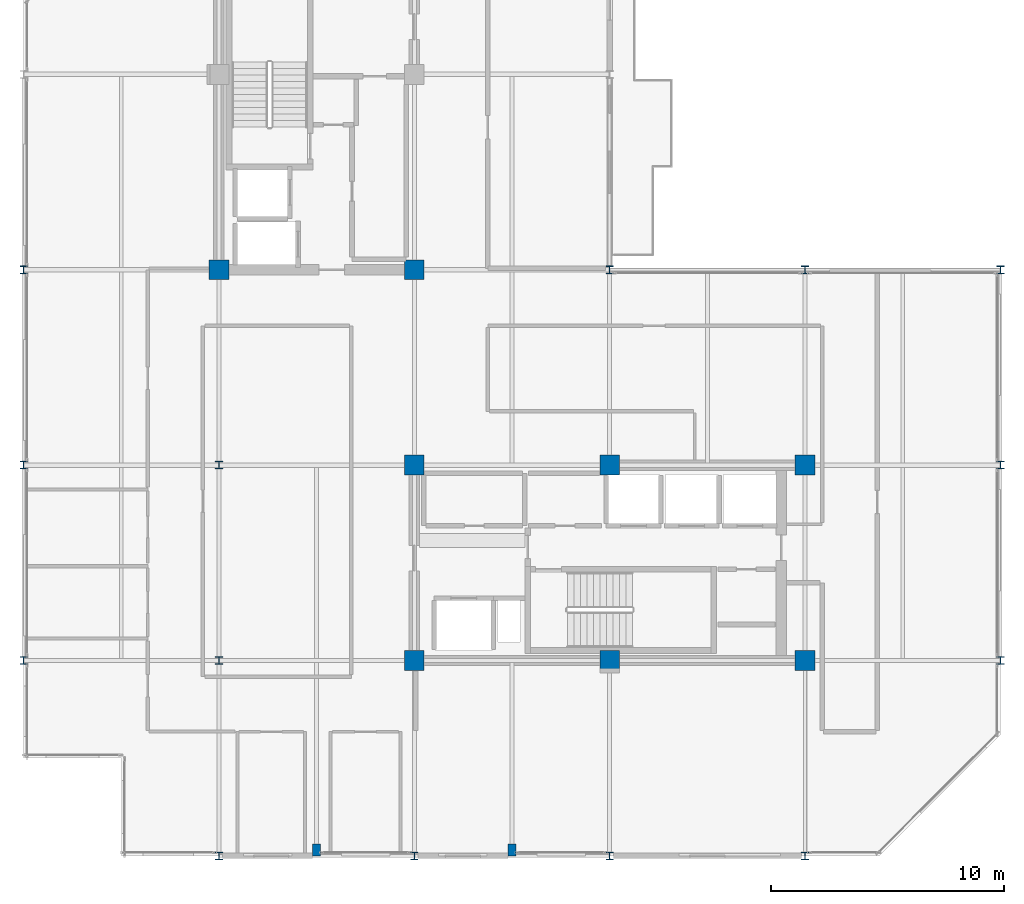
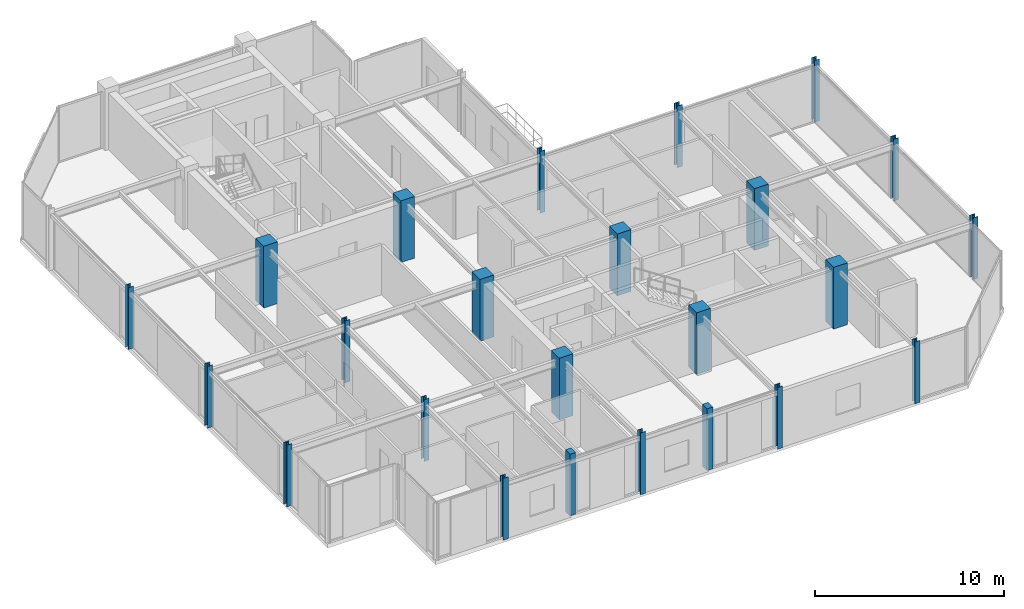
# One storey, part 1 of 26: 24 columns.
"""IFC4 building model written with IfcOpenShell, lengths in metres."""

from ifc_helpers import new_model, si_unit, direction, frame, origin, origin_2d, place, context, subcontext, project, spatial, rectangle, i_section, extrude, material, material_profile, profile_set, type_object, element, save


model = new_model("IFC4")

# Units and contexts
model_context = context("Model", 3, precision=1e-05, world=origin(), true_north=direction((0.0, 1.0)))
body_context = subcontext(model_context, "Body", "Model", "MODEL_VIEW")
ifc_project = project(units=[si_unit("LENGTHUNIT", "METRE"), si_unit("AREAUNIT", "SQUARE_METRE"), si_unit("VOLUMEUNIT", "CUBIC_METRE"), si_unit("PLANEANGLEUNIT", "RADIAN"), si_unit("MASSUNIT", "GRAM", prefix="KILO")], contexts=[model_context])

# Site, building, storey
site_placement = place(None, origin())
site = spatial("IfcSite", under=ifc_project, at=site_placement, CompositionType="ELEMENT")
building_placement = place(site_placement, origin())
building = spatial("IfcBuilding", under=site, at=building_placement, Name="Nerrivon Quay Data Exchange", CompositionType="ELEMENT")
storey_placement = place(building_placement, frame((0.0, 0.0, 282.199951171875)))
storey = spatial("IfcBuildingStorey", under=building, at=storey_placement, Name="L67", CompositionType="ELEMENT", Elevation=282.199951171875)

# Columns
ifc_material_1 = material(Name="Concrete N50 (50 MPa)", Category="concrete")
ifc_material_profile_1 = material_profile(ifc_material_1, rectangle(XDim=0.85009765625, YDim=0.85009765625, at=origin_2d()), Name="RC-COL-850x850")
ifc_profile_set_1 = profile_set([ifc_material_profile_1], Name="Concrete N50 (50 MPa)")
column_type_1 = type_object("IfcColumnType", Name="COL-C5-850", PredefinedType="COLUMN", material=ifc_profile_set_1)
for number, where, z_axis, x_axis, name in (
    (1, (8.39990234375, 25.199951171875, 0.0), (0.0, 0.0, 1.0), (1.0, 0.0, 0.0), "L67 Column (8.4,25.2)"),
    (2, (16.800048828125, 8.39990234375, 0.0), (0.0, 0.0, 1.0), (1.0, 0.0, 0.0), "L67 Column (16.8,8.4)"),
    (3, (16.800048828125, 16.800048828125, 0.0), (0.0, 0.0, 1.0), (1.0, 0.0, 0.0), "L67 Column (16.8,16.8)"),
    (4, (16.800048828125, 25.199951171875, 0.0), (0.0, 0.0, 1.0), (1.0, 0.0, 0.0), "L67 Column (16.8,25.2)"),
    (5, (25.199951171875, 8.39990234375, 0.0), (0.0, 0.0, 1.0), (1.0, 0.0, 0.0), "L67 Column (25.2,8.4)"),
    (6, (25.199951171875, 16.800048828125, 0.0), (0.0, 0.0, 1.0), (1.0, 0.0, 0.0), "L67 Column (25.2,16.8)"),
    (7, (33.60009765625, 8.39990234375, 0.0), (0.0, 0.0, 1.0), (1.0, 0.0, 0.0), "L67 Column (33.6,8.4)"),
    (8, (33.60009765625, 16.800048828125, 0.0), (0.0, 0.0, 1.0), (1.0, 0.0, 0.0), "L67 Column (33.6,16.8)"),
):
    element("IfcColumn", number, at=place(storey_placement, frame(where, z_axis=z_axis, x_axis=x_axis)), inside=storey, type_object=column_type_1, Name=name, PredefinedType="COLUMN", context=body_context, shape_type="SweptSolid", body=[
        extrude(rectangle(XDim=0.85009765625, YDim=0.85009765625, at=origin_2d()), origin(), (0.0, 0.0, 1.0), 4.0),
    ])
ifc_material_2 = material(Name="Steel Grade 350", Category="steel")
ifc_material_profile_2 = material_profile(ifc_material_2, i_section(OverallWidth=0.31103515625, OverallDepth=0.326904296875, WebThickness=0.015625, FlangeThickness=0.02490234375, FilletRadius=0.0166015625, at=origin_2d()), Name="310UC158")
ifc_profile_set_2 = profile_set([ifc_material_profile_2], Name="Steel Grade 350")
column_type_2 = type_object("IfcColumnType", Name="COL-SC4-310UC158", PredefinedType="COLUMN", material=ifc_profile_set_2)
for number, where, z_axis, x_axis, name in (
    (9, (0.0, 8.39990234375, 0.0), (0.0, 0.0, 1.0), (1.0, 0.0, 0.0), "L67 Column (0.0,8.4)"),
    (10, (0.0, 16.800048828125, 0.0), (0.0, 0.0, 1.0), (1.0, 0.0, 0.0), "L67 Column (0.0,16.8)"),
    (11, (0.0, 25.199951171875, 0.0), (0.0, 0.0, 1.0), (1.0, 0.0, 0.0), "L67 Column (0.0,25.2)"),
    (12, (8.39990234375, 0.0, 0.0), (0.0, 0.0, 1.0), (1.0, 0.0, 0.0), "L67 Column (8.4,0.0)"),
    (13, (8.39990234375, 8.39990234375, 0.0), (0.0, 0.0, 1.0), (1.0, 0.0, 0.0), "L67 Column (8.4,8.4)"),
    (14, (8.39990234375, 16.800048828125, 0.0), (0.0, 0.0, 1.0), (1.0, 0.0, 0.0), "L67 Column (8.4,16.8)"),
    (15, (16.800048828125, 0.0, 0.0), (0.0, 0.0, 1.0), (1.0, 0.0, 0.0), "L67 Column (16.8,0.0)"),
    (16, (25.199951171875, 0.0, 0.0), (0.0, 0.0, 1.0), (1.0, 0.0, 0.0), "L67 Column (25.2,0.0)"),
    (17, (25.199951171875, 25.199951171875, 0.0), (0.0, 0.0, 1.0), (1.0, 0.0, 0.0), "L67 Column (25.2,25.2)"),
    (18, (33.60009765625, 0.0, 0.0), (0.0, 0.0, 1.0), (1.0, 0.0, 0.0), "L67 Column (33.6,0.0)"),
    (19, (33.60009765625, 25.199951171875, 0.0), (0.0, 0.0, 1.0), (1.0, 0.0, 0.0), "L67 Column (33.6,25.2)"),
    (20, (42.0, 8.39990234375, 0.0), (0.0, 0.0, 1.0), (1.0, 0.0, 0.0), "L67 Column (42.0,8.4)"),
    (21, (42.0, 16.800048828125, 0.0), (0.0, 0.0, 1.0), (1.0, 0.0, 0.0), "L67 Column (42.0,16.8)"),
    (22, (42.0, 25.199951171875, 0.0), (0.0, 0.0, 1.0), (1.0, 0.0, 0.0), "L67 Column (42.0,25.2)"),
):
    element("IfcColumn", number, at=place(storey_placement, frame(where, z_axis=z_axis, x_axis=x_axis)), inside=storey, type_object=column_type_2, Name=name, PredefinedType="COLUMN", context=body_context, shape_type="SweptSolid", body=[
        extrude(i_section(OverallWidth=0.31103515625, OverallDepth=0.326904296875, WebThickness=0.015625, FlangeThickness=0.02490234375, FilletRadius=0.0166015625, at=origin_2d()), origin(), (0.0, 0.0, 1.0), 4.0),
    ])
ifc_material_profile_3 = material_profile(ifc_material_1, rectangle(XDim=0.35009765625, YDim=0.5, at=origin_2d()), Name="RC-PIL-500x350")
ifc_profile_set_3 = profile_set([ifc_material_profile_3], Name="Concrete N50 (50 MPa)")
column_type_3 = type_object("IfcColumnType", Name="PIL-P2-500x350", PredefinedType="PILASTER", material=ifc_profile_set_3)
for number, where, z_axis, x_axis, name in (
    (23, (12.60009765625, 0.25, 0.0), (0.0, 0.0, 1.0), (1.0, 0.0, 0.0), "L67 Facade Pilaster (12.6)"),
    (24, (21.0, 0.25, 0.0), (0.0, 0.0, 1.0), (1.0, 0.0, 0.0), "L67 Facade Pilaster (21.0)"),
):
    element("IfcColumn", number, at=place(storey_placement, frame(where, z_axis=z_axis, x_axis=x_axis)), inside=storey, type_object=column_type_3, Name=name, PredefinedType="PILASTER", context=body_context, shape_type="SweptSolid", body=[
        extrude(rectangle(XDim=0.35009765625, YDim=0.5, at=origin_2d()), origin(), (0.0, 0.0, 1.0), 4.0),
    ])

save(model, "model.ifc")
